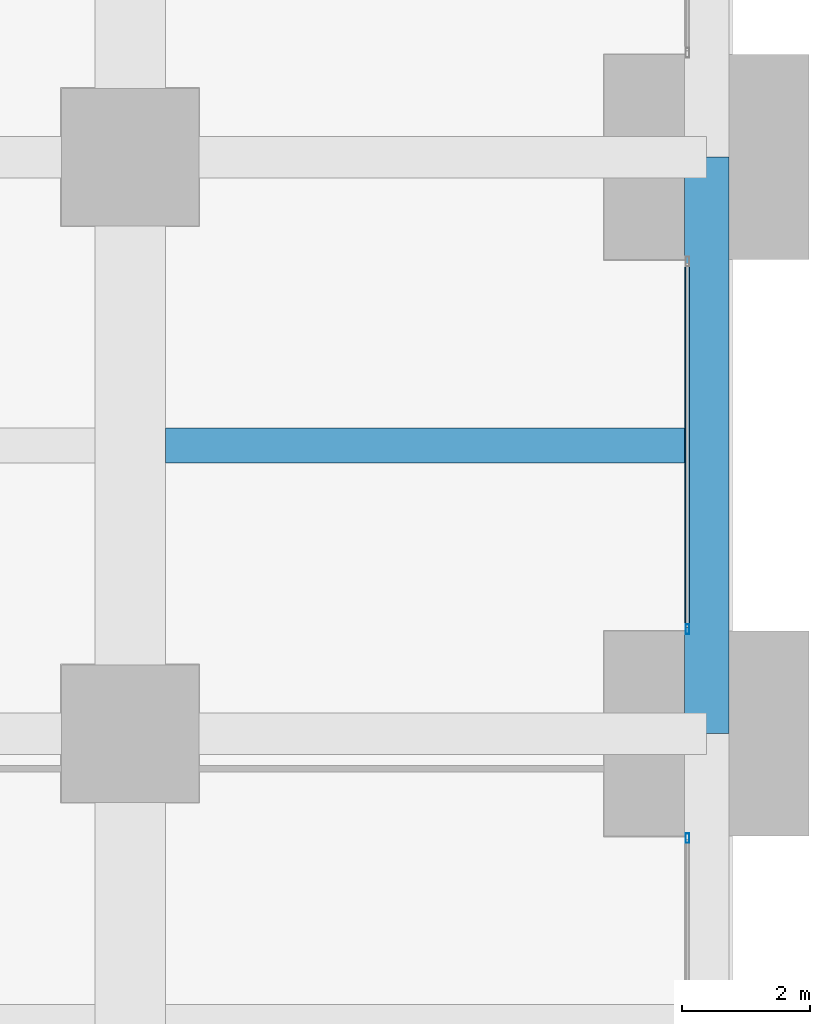
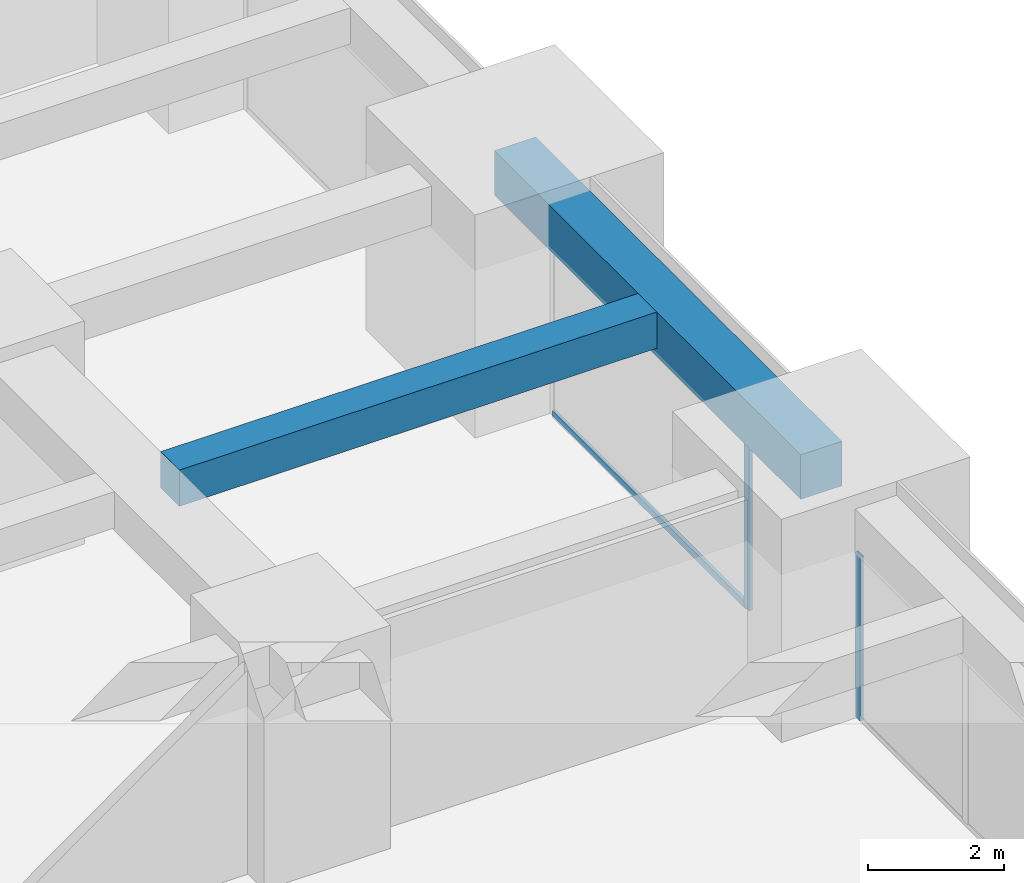
# One storey, part 21 of 41: 3 members, 2 beams, 2 elements without a shape of their own.
"""IFC4 building model written with IfcOpenShell, lengths in metres."""

from ifc_helpers import new_model, si_unit, direction, frame, origin, origin_2d, place, context, subcontext, project, spatial, rectangle, hollow_rectangle, extrude, material, material_profile, profile_set, type_object, element, aggregate, save


model = new_model("IFC4")

# Units and contexts
model_context = context("Model", 3, precision=1e-05, world=origin(), true_north=direction((0.0, 1.0)))
body_context = subcontext(model_context, "Body", "Model", "MODEL_VIEW")
ifc_project = project(units=[si_unit("LENGTHUNIT", "METRE"), si_unit("AREAUNIT", "SQUARE_METRE"), si_unit("VOLUMEUNIT", "CUBIC_METRE"), si_unit("PLANEANGLEUNIT", "RADIAN"), si_unit("MASSUNIT", "GRAM", prefix="KILO")], contexts=[model_context])

# Site, building, storey
site_placement = place(None, origin())
site = spatial("IfcSite", under=ifc_project, at=site_placement, CompositionType="ELEMENT")
building_placement = place(site_placement, origin())
building = spatial("IfcBuilding", under=site, at=building_placement, Name="Zorevar Civic Tower", CompositionType="ELEMENT")
storey_placement = place(building_placement, frame((0.0, 0.0, 89.0)))
storey = spatial("IfcBuildingStorey", under=building, at=storey_placement, Name="L21", CompositionType="ELEMENT", Elevation=89.0)

# Beam
ifc_material_1 = material(Name="Concrete C50/60", Category="concrete")
ifc_material_profile_1 = material_profile(ifc_material_1, rectangle(XDim=0.550048828125, YDim=0.64990234375, at=origin_2d()), Name="RC 550x650")
ifc_profile_set_1 = profile_set([ifc_material_profile_1], Name="Concrete C50/60")
beam_type_1 = type_object("IfcBeamType", Name="Beam RC 550x650", PredefinedType="BEAM", material=ifc_profile_set_1)
beam_1_placement = place(storey_placement, frame((54.550048828125, 22.5, 3.425048828125), z_axis=(1.0, 0.0, 0.0), x_axis=(0.0, 1.0, 0.0)))
element("IfcBeam", 1, at=beam_1_placement, inside=storey, type_object=beam_type_1, Name="Secondary beam L22", PredefinedType="BEAM", context=body_context, shape_type="SweptSolid", body=[
    extrude(rectangle(XDim=0.550048828125, YDim=0.64990234375, at=origin_2d()), origin(), (0.0, 0.0, 1.0), 8.099853515625),
])

# Curtain wall, member
ifc_material_2 = material(Name="Dark grey solar-control glass in black aluminium frame", Category="aluminium")
curtain_wall_type = type_object("IfcCurtainWallType", Name="Curtain wall CW3 mid zone", PredefinedType="NOTDEFINED", material=ifc_material_2)
curtain_wall_1_placement = place(storey_placement, origin())
curtain_wall_1 = element("IfcCurtainWall", 2, at=curtain_wall_1_placement, inside=storey, type_object=curtain_wall_type, Name="CW3 L21", PredefinedType="NOTDEFINED")
ifc_material_3 = material(Name="Aluminium, black anodised", Category="aluminium")
ifc_material_profile_2 = material_profile(ifc_material_3, hollow_rectangle(XDim=0.06005859375, YDim=0.14990234375, WallThickness=0.00390625, at=origin_2d()), Name="AL 150x60x4")
ifc_profile_set_2 = profile_set([ifc_material_profile_2], Name="Aluminium, black anodised")
member_type_1 = type_object("IfcMemberType", Name="CW3 mullion AL 150x60x4", PredefinedType="MULLION", material=ifc_profile_set_2)
member_1_placement = place(storey_placement, frame((62.699951171875, 16.3701171875, 0.0), z_axis=(0.0, 0.0, 1.0), x_axis=(-1.0, 0.0, 0.0)))
member_1 = element("IfcMember", 3, at=member_1_placement, type_object=member_type_1, Name="CW3 mullion 3", PredefinedType="MULLION", context=body_context, shape_type="SweptSolid", body=[
    extrude(hollow_rectangle(XDim=0.06005859375, YDim=0.14990234375, WallThickness=0.00390625, at=origin_2d()), origin(), (0.0, 0.0, 1.0), 2.949951171875),
])
aggregate(curtain_wall_1, [member_1])

# Curtain wall, members
curtain_wall_2_placement = place(storey_placement, origin())
curtain_wall_2 = element("IfcCurtainWall", 4, at=curtain_wall_2_placement, inside=storey, type_object=curtain_wall_type, Name="CW3 L21", PredefinedType="NOTDEFINED")
member_2_placement = place(storey_placement, frame((62.699951171875, 19.6298828125, 0.0), z_axis=(0.0, 0.0, 1.0), x_axis=(-1.0, 0.0, 0.0)))
member_2 = element("IfcMember", 5, at=member_2_placement, type_object=member_type_1, Name="CW3 mullion 1", PredefinedType="MULLION", context=body_context, shape_type="SweptSolid", body=[
    extrude(hollow_rectangle(XDim=0.06005859375, YDim=0.14990234375, WallThickness=0.00390625, at=origin_2d()), origin(), (0.0, 0.0, 1.0), 2.949951171875),
])
ifc_material_4 = material(Name="Aluminium, black anodised", Category="aluminium")
ifc_material_profile_3 = material_profile(ifc_material_4, hollow_rectangle(XDim=0.06005859375, YDim=0.1201171875, WallThickness=0.0029296875, at=origin_2d()), Name="AL 120x60x3")
ifc_profile_set_3 = profile_set([ifc_material_profile_3], Name="Aluminium, black anodised")
member_type_2 = type_object("IfcMemberType", Name="CW3 transom AL 120x60x3", PredefinedType="USERDEFINED", material=ifc_profile_set_3)
member_3_placement = place(storey_placement, frame((62.699951171875, 19.659912109375, 0.030029296875), z_axis=(0.0, 1.0, 0.0), x_axis=(-1.0, 0.0, 0.0)))
member_3 = element("IfcMember", 6, at=member_3_placement, type_object=member_type_2, Name="CW3 sill transom", ObjectType="TRANSOM", PredefinedType="USERDEFINED", context=body_context, shape_type="SweptSolid", body=[
    extrude(hollow_rectangle(XDim=0.06005859375, YDim=0.1201171875, WallThickness=0.0029296875, at=origin_2d()), origin(), (0.0, 0.0, 1.0), 5.68017578125),
])
aggregate(curtain_wall_2, [member_2, member_3])

# Beam
ifc_material_5 = material(Name="Concrete C50/60", Category="concrete")
ifc_material_profile_4 = material_profile(ifc_material_5, rectangle(XDim=0.699951171875, YDim=0.800048828125, at=origin_2d()), Name="RC 700x800")
ifc_profile_set_4 = profile_set([ifc_material_profile_4], Name="Concrete C50/60")
beam_type_2 = type_object("IfcBeamType", Name="Edge beam RC 700x800", PredefinedType="SPANDREL", material=ifc_profile_set_4)
beam_2_placement = place(storey_placement, frame((63.0, 18.0, 3.35009765625), z_axis=(0.0, 1.0, 0.0), x_axis=(-1.0, 0.0, 0.0)))
element("IfcBeam", 7, at=beam_2_placement, inside=storey, type_object=beam_type_2, Name="Edge beam L22", PredefinedType="SPANDREL", context=body_context, shape_type="SweptSolid", body=[
    extrude(rectangle(XDim=0.699951171875, YDim=0.800048828125, at=origin_2d()), origin(), (0.0, 0.0, 1.0), 9.0),
])

save(model, "model.ifc")
